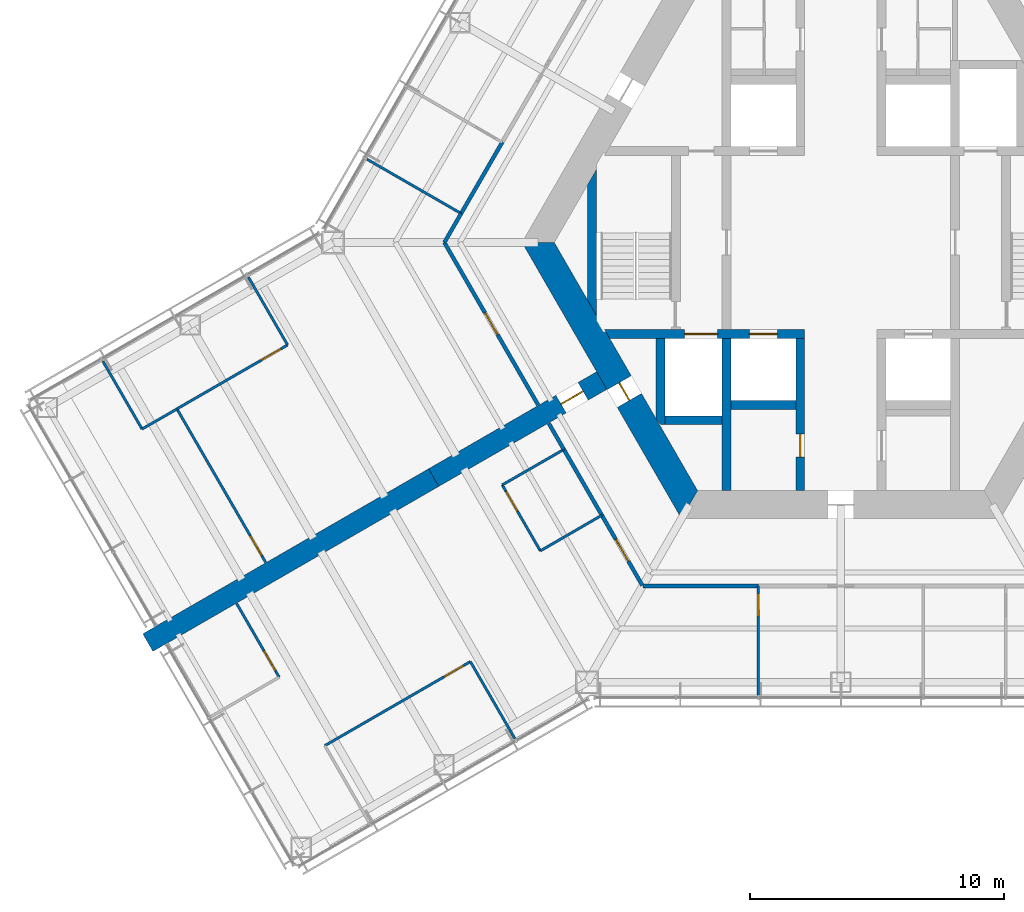
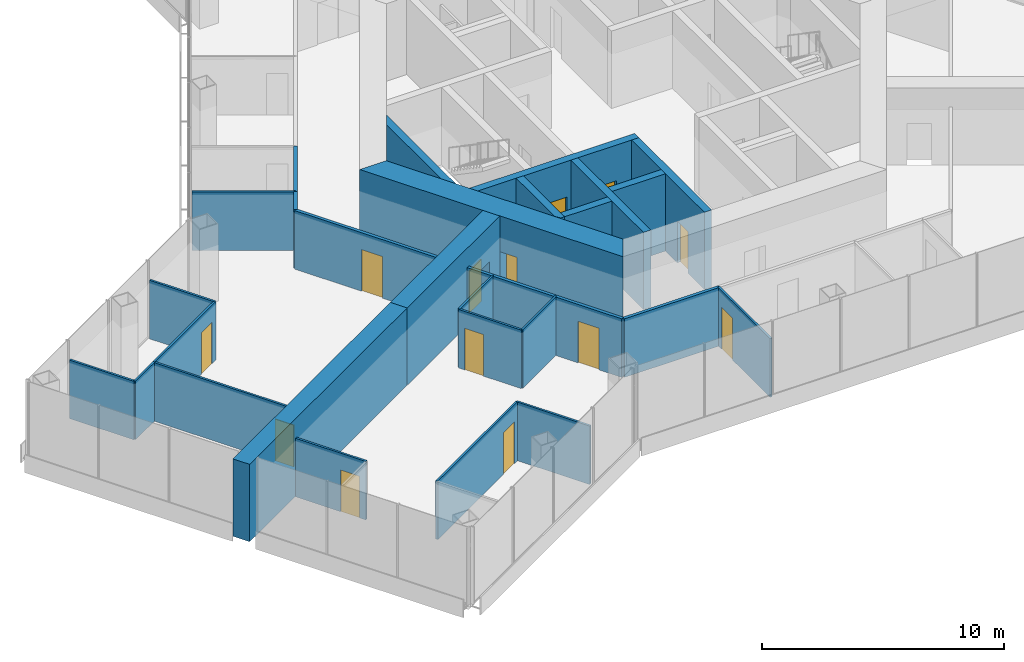
# One storey, part 12 of 18: 30 walls, 13 doors, 13 openings.
"""IFC4 building model written with IfcOpenShell, lengths in metres."""

from ifc_helpers import new_model, si_unit, direction, frame, frame_2d, origin, place, context, subcontext, project, spatial, polyline, rectangle, outline, extrude, material, layer, layer_set, type_object, element, fill, save


model = new_model("IFC4")

# Units and contexts
model_context = context("Model", 3, precision=1e-05, world=origin(), true_north=direction((0.0, 1.0)))
body_context = subcontext(model_context, "Body", "Model", "MODEL_VIEW")
ifc_project = project(units=[si_unit("LENGTHUNIT", "METRE"), si_unit("AREAUNIT", "SQUARE_METRE"), si_unit("VOLUMEUNIT", "CUBIC_METRE"), si_unit("PLANEANGLEUNIT", "RADIAN"), si_unit("MASSUNIT", "GRAM", prefix="KILO")], contexts=[model_context])

# Site, building, storey
site_placement = place(None, origin())
site = spatial("IfcSite", under=ifc_project, at=site_placement, CompositionType="ELEMENT")
building_placement = place(site_placement, origin())
building = spatial("IfcBuilding", under=site, at=building_placement, Name="Kasaneha Research Tower", CompositionType="ELEMENT")
storey_placement = place(building_placement, frame((0.0, 0.0, 115.800048828125)))
storey = spatial("IfcBuildingStorey", under=building, at=storey_placement, Name="L29", CompositionType="ELEMENT", Elevation=115.800048828125)

# Wall, openings, doors
ifc_material_1 = material(Name="Concrete Fc80", Category="concrete")
ifc_layer_1 = layer(ifc_material_1, 0.35009765625)
ifc_layer_set_1 = layer_set([ifc_layer_1], Name="Core internal wall 350 Fc80")
wall_type_1 = type_object("IfcWallType", Name="Core internal wall 350 Fc80", PredefinedType="SHEAR", material=ifc_layer_set_1)
wall_1_placement = place(storey_placement, frame((-9.208740234375, -3.60009765625, 0.0), z_axis=(0.0, 0.0, 1.0), x_axis=(1.0, 0.0, 0.0)))
wall_1 = element("IfcWall", 1, at=wall_1_placement, inside=storey, type_object=wall_type_1, Name="Core wall W2W L29", PredefinedType="SHEAR", context=body_context, shape_type="SweptSolid", body=[
    extrude(outline(polyline([(0.10107421875, -0.175048828125), (3.058837890625, -0.175048828125), (4.35888671875, -0.175048828125), (5.608642578125, -0.175048828125), (6.708740234375, -0.175048828125), (7.78369140625, -0.175048828125), (7.78369140625, 0.175048828125), (6.708740234375, 0.175048828125), (5.608642578125, 0.175048828125), (4.35888671875, 0.175048828125), (3.058837890625, 0.175048828125), (-0.10107421875, 0.175048828125), (0.10107421875, -0.175048828125)])), origin(), (0.0, 0.0, 1.0), 3.89990234375),
])
opening_1_placement = place(wall_1_placement, frame((5.608642578125, 0.0, 0.0)))
opening_1 = element("IfcOpeningElement", 2, at=opening_1_placement, cuts=wall_1, Name="Opening LD-LO2-L29", PredefinedType="OPENING", context=body_context, shape_type="SweptSolid", body=[
    extrude(rectangle(XDim=1.10009765625, YDim=2.10009765625, at=frame_2d((0.550048828125, 1.050048828125))), frame((0.0, 0.18505859375, 0.0), z_axis=(0.0, -1.0, 0.0), x_axis=(1.0, 0.0, 0.0)), (0.0, 0.0, 1.0), 0.3701171875),
])
opening_2_placement = place(wall_1_placement, frame((3.058837890625, 0.0, 0.0)))
opening_2 = element("IfcOpeningElement", 3, at=opening_2_placement, cuts=wall_1, Name="Opening LD-FL2-L29", PredefinedType="OPENING", context=body_context, shape_type="SweptSolid", body=[
    extrude(rectangle(XDim=1.300048828125, YDim=2.10009765625, at=frame_2d((0.64990234375, 1.050048828125))), frame((0.0, 0.18505859375, 0.0), z_axis=(0.0, -1.0, 0.0), x_axis=(1.0, 0.0, 0.0)), (0.0, 0.0, 1.0), 0.3701171875),
])
ifc_material_2 = material(Name="Steel", Category="steel")
door_type_1 = type_object("IfcDoorType", Name="Lift landing door 1100x2100", OperationType="DOUBLE_DOOR_SLIDING", PredefinedType="DOOR", material=ifc_material_2)
door_1_placement = place(opening_1_placement, origin())
door_1 = element("IfcDoor", 4, at=door_1_placement, inside=storey, type_object=door_type_1, Name="Landing door LO2 LD-LO2-L29", OperationType="DOUBLE_DOOR_SLIDING", OverallHeight=2.10009765625, OverallWidth=1.10009765625, PredefinedType="DOOR", context=body_context, shape_type="SweptSolid", body=[
    extrude(rectangle(XDim=1.10009765625, YDim=2.10009765625, at=frame_2d((0.550048828125, 1.050048828125))), frame((0.0, 0.02490234375, 0.0), z_axis=(0.0, -1.0, 0.0), x_axis=(1.0, 0.0, 0.0)), (0.0, 0.0, 1.0), 0.050048828125),
])
fill(opening_1, door_1)
ifc_material_3 = material(Name="Steel", Category="steel")
door_type_2 = type_object("IfcDoorType", Name="Lift landing door 1300x2100", OperationType="DOUBLE_DOOR_SLIDING", PredefinedType="DOOR", material=ifc_material_3)
door_2_placement = place(opening_2_placement, origin())
door_2 = element("IfcDoor", 5, at=door_2_placement, inside=storey, type_object=door_type_2, Name="Landing door FL2 LD-FL2-L29", OperationType="DOUBLE_DOOR_SLIDING", OverallHeight=2.10009765625, OverallWidth=1.300048828125, PredefinedType="DOOR", context=body_context, shape_type="SweptSolid", body=[
    extrude(rectangle(XDim=1.300048828125, YDim=2.10009765625, at=frame_2d((0.64990234375, 1.050048828125))), frame((0.0, 0.02490234375, 0.0), z_axis=(0.0, -1.0, 0.0), x_axis=(1.0, 0.0, 0.0)), (0.0, 0.0, 1.0), 0.050048828125),
])
fill(opening_2, door_2)

# Wall, opening, door
wall_2_placement = place(storey_placement, frame((-1.60009765625, -3.77490234375, 0.0), z_axis=(0.0, 0.0, 1.0), x_axis=(0.0, -1.0, 0.0)))
wall_2 = element("IfcWall", 6, at=wall_2_placement, inside=storey, type_object=wall_type_1, Name="Core wall CSW L29", PredefinedType="SHEAR", context=body_context, shape_type="SweptSolid", body=[
    extrude(rectangle(XDim=6.0, YDim=0.35009765625, at=frame_2d((3.0, 0.0))), origin(), (0.0, 0.0, 1.0), 3.89990234375),
])
opening_3_placement = place(wall_2_placement, frame((3.77490234375, 0.0, 0.0)))
opening_3 = element("IfcOpeningElement", 7, at=opening_3_placement, cuts=wall_2, Name="Opening L29-D16", PredefinedType="OPENING", context=body_context, shape_type="SweptSolid", body=[
    extrude(rectangle(XDim=0.89990234375, YDim=2.10009765625, at=frame_2d((0.449951171875, 1.050048828125))), frame((0.0, 0.18505859375, 0.0), z_axis=(0.0, -1.0, 0.0), x_axis=(1.0, 0.0, 0.0)), (0.0, 0.0, 1.0), 0.3701171875),
])
ifc_material_4 = material(Name="Steel", Category="steel")
door_type_3 = type_object("IfcDoorType", Name="Riser access door FD60 900x2100", OperationType="NOTDEFINED", PredefinedType="DOOR", material=ifc_material_4)
door_3_placement = place(opening_3_placement, origin())
door_3 = element("IfcDoor", 8, at=door_3_placement, inside=storey, type_object=door_type_3, Name="Electrical riser door L29-D16", OperationType="SINGLE_SWING_LEFT", OverallHeight=2.10009765625, OverallWidth=0.89990234375, PredefinedType="DOOR", context=body_context, shape_type="SweptSolid", body=[
    extrude(rectangle(XDim=0.89990234375, YDim=2.10009765625, at=frame_2d((0.449951171875, 1.050048828125))), frame((0.0, 0.02490234375, 0.0), z_axis=(0.0, -1.0, 0.0), x_axis=(1.0, 0.0, 0.0)), (0.0, 0.0, 1.0), 0.050048828125),
])
fill(opening_3, door_3)

# Walls
wall_3_placement = place(storey_placement, frame((-4.5, -3.77490234375, 0.0), z_axis=(0.0, 0.0, 1.0), x_axis=(0.0, -1.0, 0.0)))
element("IfcWall", 9, at=wall_3_placement, inside=storey, type_object=wall_type_1, Name="Core wall SSW L29", PredefinedType="SHEAR", context=body_context, shape_type="SweptSolid", body=[
    extrude(rectangle(XDim=6.0, YDim=0.35009765625, at=frame_2d((3.0, 0.0))), origin(), (0.0, 0.0, 1.0), 3.89990234375),
])
wall_4_placement = place(storey_placement, frame((-4.324951171875, -6.39990234375, 0.0), z_axis=(0.0, 0.0, 1.0), x_axis=(1.0, 0.0, 0.0)))
element("IfcWall", 10, at=wall_4_placement, inside=storey, type_object=wall_type_1, Name="Core wall S1S L29", PredefinedType="SHEAR", context=body_context, shape_type="SweptSolid", body=[
    extrude(rectangle(XDim=2.550048828125, YDim=0.35009765625, at=frame_2d((1.27490234375, 0.0))), origin(), (0.0, 0.0, 1.0), 3.89990234375),
])
wall_5_placement = place(storey_placement, frame((-6.925048828125, -7.0, 0.0), z_axis=(0.0, 0.0, 1.0), x_axis=(1.0, 0.0, 0.0)))
element("IfcWall", 11, at=wall_5_placement, inside=storey, type_object=wall_type_1, Name="Core wall F2S L29", PredefinedType="SHEAR", context=body_context, shape_type="SweptSolid", body=[
    extrude(rectangle(XDim=2.25, YDim=0.35009765625, at=frame_2d((1.125, 0.0))), origin(), (0.0, 0.0, 1.0), 3.89990234375),
])
wall_6_placement = place(storey_placement, frame((-7.10009765625, -3.77490234375, 0.0), z_axis=(0.0, 0.0, 1.0), x_axis=(0.0, -1.0, 0.0)))
element("IfcWall", 12, at=wall_6_placement, inside=storey, type_object=wall_type_1, Name="Core wall F2W L29", PredefinedType="SHEAR", context=body_context, shape_type="SweptSolid", body=[
    extrude(outline(polyline([(0.0, -0.175048828125), (3.174560546875, -0.175048828125), (3.400146484375, 0.0), (3.400146484375, 0.175048828125), (0.0, 0.175048828125), (0.0, -0.175048828125)])), origin(), (0.0, 0.0, 1.0), 3.89990234375),
])
wall_7_placement = place(storey_placement, frame((-9.807861328125, -2.562255859375, 0.0), z_axis=(0.0, 0.0, 1.0), x_axis=(0.0, 1.0, 0.0)))
element("IfcWall", 13, at=wall_7_placement, inside=storey, type_object=wall_type_1, Name="Core wall STW L29", PredefinedType="SHEAR", context=body_context, shape_type="SweptSolid", body=[
    extrude(outline(polyline([(-0.30322265625, -0.175048828125), (5.427734375, -0.175048828125), (4.8212890625, 0.175048828125), (0.30322265625, 0.175048828125), (-0.30322265625, -0.175048828125)])), origin(), (0.0, 0.0, 1.0), 3.89990234375),
])

# Wall, opening, door
ifc_material_5 = material(Name="Concrete Fc80", Category="concrete")
ifc_layer_2 = layer(ifc_material_5, 1.10009765625)
ifc_layer_set_2 = layer_set([ifc_layer_2], Name="Core wall 1100 Fc80")
wall_type_2 = type_object("IfcWallType", Name="Core wall 1100 Fc80", PredefinedType="SHEAR", material=ifc_layer_set_2)
wall_8_placement = place(storey_placement, frame((-11.92236328125, 0.0, 0.0), z_axis=(0.0, 0.0, 1.0), x_axis=(0.500004296715, -0.866022923061, 0.0)))
wall_8 = element("IfcWall", 14, at=wall_8_placement, inside=storey, type_object=wall_type_2, Name="Core wall 210 L29", PredefinedType="SHEAR", context=body_context, shape_type="SweptSolid", body=[
    extrude(outline(polyline([(-0.317626953125, -0.550048828125), (6.381103515625, -0.550048828125), (7.18115234375, -0.550048828125), (12.239990234375, -0.550048828125), (11.604736328125, 0.550048828125), (7.18115234375, 0.550048828125), (6.381103515625, 0.550048828125), (0.317626953125, 0.550048828125), (-0.317626953125, -0.550048828125)])), origin(), (0.0, 0.0, 1.0), 3.89990234375),
])
opening_4_placement = place(wall_8_placement, frame((6.381103515625, 0.0, 0.0)))
opening_4 = element("IfcOpeningElement", 15, at=opening_4_placement, cuts=wall_8, Name="Opening L29-D06", PredefinedType="OPENING", context=body_context, shape_type="SweptSolid", body=[
    extrude(rectangle(XDim=0.800048828125, YDim=2.10009765625, at=frame_2d((0.39990234375, 1.050048828125))), frame((0.0, 0.56005859375, 0.0), z_axis=(0.0, -1.0, 0.0), x_axis=(1.0, 0.0, 0.0)), (0.0, 0.0, 1.0), 1.1201171875),
])
ifc_material_6 = material(Name="Steel", Category="steel")
door_type_4 = type_object("IfcDoorType", Name="Riser access door FD60 800x2100", OperationType="NOTDEFINED", PredefinedType="DOOR", material=ifc_material_6)
door_4_placement = place(opening_4_placement, origin())
door_4 = element("IfcDoor", 16, at=door_4_placement, inside=storey, type_object=door_type_4, Name="Duct riser door L29-D06", OperationType="SINGLE_SWING_RIGHT", OverallHeight=2.10009765625, OverallWidth=0.800048828125, PredefinedType="DOOR", context=body_context, shape_type="SweptSolid", body=[
    extrude(rectangle(XDim=0.800048828125, YDim=2.10009765625, at=frame_2d((0.39990234375, 1.050048828125))), frame((0.0, 0.02490234375, 0.0), z_axis=(0.0, -1.0, 0.0), x_axis=(1.0, 0.0, 0.0)), (0.0, 0.0, 1.0), 0.050048828125),
])
fill(opening_4, door_4)

# Walls
ifc_material_7 = material(Name="Gypsum board on steel studs, one layer each side", Category="steel")
ifc_layer_3 = layer(ifc_material_7, 0.10009765625)
ifc_layer_set_3 = layer_set([ifc_layer_3], Name="Office partition 100")
wall_type_3 = type_object("IfcWallType", Name="Office partition 100", PredefinedType="PARTITIONING", material=ifc_layer_set_3)
wall_9_placement = place(storey_placement, frame((-29.065185546875, -4.6796875, 0.0), z_axis=(0.0, 0.0, 1.0), x_axis=(0.500120427123, -0.865955863987, 0.0)))
element("IfcWall", 17, at=wall_9_placement, inside=storey, type_object=wall_type_3, Name="Office partition FBN06 L29", PredefinedType="PARTITIONING", context=body_context, shape_type="SweptSolid", body=[
    extrude(rectangle(XDim=3.079833984375, YDim=0.10009765625, at=frame_2d((1.5400390625, 0.0))), origin(), (0.0, 0.0, 1.0), 2.949951171875),
])
wall_10_placement = place(storey_placement, frame((-27.52490234375, -7.3466796875, 0.0), z_axis=(0.0, 0.0, 1.0), x_axis=(0.867571917523, 0.497311741191, 0.0)))
element("IfcWall", 18, at=wall_10_placement, inside=storey, type_object=wall_type_3, Name="Office partition FBN07 L29", PredefinedType="PARTITIONING", context=body_context, shape_type="SweptSolid", body=[
    extrude(rectangle(XDim=1.591064453125, YDim=0.10009765625, at=frame_2d((0.79541015625, 0.0))), origin(), (0.0, 0.0, 1.0), 2.949951171875),
])

# Wall, opening, door
wall_11_placement = place(storey_placement, frame((-26.151123046875, -6.55419921875, 0.0), z_axis=(0.0, 0.0, 1.0), x_axis=(0.500528756763, -0.865719910625, 0.0)))
wall_11 = element("IfcWall", 19, at=wall_11_placement, inside=storey, type_object=wall_type_3, Name="Office partition FBN08 L29", PredefinedType="PARTITIONING", context=body_context, shape_type="SweptSolid", body=[
    extrude(rectangle(XDim=6.9794921875, YDim=0.10009765625, at=frame_2d((3.48974609375, 0.0))), origin(), (0.0, 0.0, 1.0), 2.949951171875),
])
opening_5_placement = place(wall_11_placement, frame((5.779541015625, 0.0, 0.0)))
opening_5 = element("IfcOpeningElement", 20, at=opening_5_placement, cuts=wall_11, Name="Opening L29-D36", PredefinedType="OPENING", context=body_context, shape_type="SweptSolid", body=[
    extrude(rectangle(XDim=0.89990234375, YDim=2.10009765625, at=frame_2d((0.449951171875, 1.050048828125))), frame((0.0, 0.06005859375, 0.0), z_axis=(0.0, -1.0, 0.0), x_axis=(1.0, 0.0, 0.0)), (0.0, 0.0, 1.0), 0.1201171875),
])
ifc_material_8 = material(Name="Timber veneer", Category="wood")
door_type_5 = type_object("IfcDoorType", Name="Office door 900x2100", OperationType="SINGLE_SWING_LEFT", PredefinedType="DOOR", material=ifc_material_8)
door_5_placement = place(opening_5_placement, origin())
door_5 = element("IfcDoor", 21, at=door_5_placement, inside=storey, type_object=door_type_5, Name="Large meeting room door L29-D36", OperationType="SINGLE_SWING_RIGHT", OverallHeight=2.10009765625, OverallWidth=0.89990234375, PredefinedType="DOOR", context=body_context, shape_type="SweptSolid", body=[
    extrude(rectangle(XDim=0.89990234375, YDim=2.10009765625, at=frame_2d((0.449951171875, 1.050048828125))), frame((0.0, 0.02490234375, 0.0), z_axis=(0.0, -1.0, 0.0), x_axis=(1.0, 0.0, 0.0)), (0.0, 0.0, 1.0), 0.050048828125),
])
fill(opening_5, door_5)

# Walls
wall_12_placement = place(storey_placement, frame((-14.957275390625, 1.143310546875, 0.0), z_axis=(0.0, 0.0, 1.0), x_axis=(-0.86652666665, 0.499130780441, 0.0)))
element("IfcWall", 22, at=wall_12_placement, inside=storey, type_object=wall_type_3, Name="Office partition FBN10 L29", PredefinedType="PARTITIONING", context=body_context, shape_type="SweptSolid", body=[
    extrude(rectangle(XDim=4.275390625, YDim=0.10009765625, at=frame_2d((2.1376953125, 0.0))), origin(), (0.0, 0.0, 1.0), 2.949951171875),
])
wall_13_placement = place(storey_placement, frame((-23.332275390625, -1.36962890625, 0.0), z_axis=(0.0, 0.0, 1.0), x_axis=(0.499992328818, -0.866029832698, 0.0)))
element("IfcWall", 23, at=wall_13_placement, inside=storey, type_object=wall_type_3, Name="Office partition FBN12 L29", PredefinedType="PARTITIONING", context=body_context, shape_type="SweptSolid", body=[
    extrude(rectangle(XDim=3.080078125, YDim=0.10009765625, at=frame_2d((1.5400390625, 0.0))), origin(), (0.0, 0.0, 1.0), 2.949951171875),
])

# Wall, opening, door
wall_14_placement = place(storey_placement, frame((-21.792236328125, -4.037109375, 0.0), z_axis=(0.0, 0.0, 1.0), x_axis=(-0.866037775365, -0.499978571182, 0.0)))
wall_14 = element("IfcWall", 24, at=wall_14_placement, inside=storey, type_object=wall_type_3, Name="Office partition FBN13 L29", PredefinedType="PARTITIONING", context=body_context, shape_type="SweptSolid", body=[
    extrude(rectangle(XDim=5.033447265625, YDim=0.10009765625, at=frame_2d((2.5166015625, 0.0))), origin(), (0.0, 0.0, 1.0), 2.949951171875),
])
opening_6_placement = place(wall_14_placement, frame((0.300048828125, 0.0, 0.0)))
opening_6 = element("IfcOpeningElement", 25, at=opening_6_placement, cuts=wall_14, Name="Opening L29-D39", PredefinedType="OPENING", context=body_context, shape_type="SweptSolid", body=[
    extrude(rectangle(XDim=0.89990234375, YDim=2.10009765625, at=frame_2d((0.449951171875, 1.050048828125))), frame((0.0, 0.06005859375, 0.0), z_axis=(0.0, -1.0, 0.0), x_axis=(1.0, 0.0, 0.0)), (0.0, 0.0, 1.0), 0.1201171875),
])
door_6_placement = place(opening_6_placement, origin())
door_6 = element("IfcDoor", 26, at=door_6_placement, inside=storey, type_object=door_type_5, Name="Manager's office door L29-D39", OperationType="SINGLE_SWING_LEFT", OverallHeight=2.10009765625, OverallWidth=0.89990234375, PredefinedType="DOOR", context=body_context, shape_type="SweptSolid", body=[
    extrude(rectangle(XDim=0.89990234375, YDim=2.10009765625, at=frame_2d((0.449951171875, 1.050048828125))), frame((0.0, 0.02490234375, 0.0), z_axis=(0.0, -1.0, 0.0), x_axis=(1.0, 0.0, 0.0)), (0.0, 0.0, 1.0), 0.050048828125),
])
fill(opening_6, door_6)

# Wall
wall_15_placement = place(storey_placement, frame((-13.337890625, -9.548095703125, 0.0), z_axis=(0.0, 0.0, 1.0), x_axis=(0.866833758708, 0.498597267105, 0.0)))
element("IfcWall", 27, at=wall_15_placement, inside=storey, type_object=wall_type_3, Name="Office partition FBS04 L29", PredefinedType="PARTITIONING", context=body_context, shape_type="SweptSolid", body=[
    extrude(rectangle(XDim=2.7998046875, YDim=0.10009765625, at=frame_2d((1.39990234375, 0.0))), origin(), (0.0, 0.0, 1.0), 2.949951171875),
])

# Wall, opening, door
wall_16_placement = place(storey_placement, frame((-11.837890625, -12.146240234375, 0.0), z_axis=(0.0, 0.0, 1.0), x_axis=(-0.499990139034, 0.866031096941, 0.0)))
wall_16 = element("IfcWall", 28, at=wall_16_placement, inside=storey, type_object=wall_type_3, Name="Office partition FBS05 L29", PredefinedType="PARTITIONING", context=body_context, shape_type="SweptSolid", body=[
    extrude(rectangle(XDim=3.0, YDim=0.10009765625, at=frame_2d((1.5, 0.0))), origin(), (0.0, 0.0, 1.0), 2.949951171875),
])
opening_7_placement = place(wall_16_placement, frame((1.800048828125, 0.0, 0.0)))
opening_7 = element("IfcOpeningElement", 29, at=opening_7_placement, cuts=wall_16, Name="Opening L29-D41", PredefinedType="OPENING", context=body_context, shape_type="SweptSolid", body=[
    extrude(rectangle(XDim=0.89990234375, YDim=2.10009765625, at=frame_2d((0.449951171875, 1.050048828125))), frame((0.0, 0.06005859375, 0.0), z_axis=(0.0, -1.0, 0.0), x_axis=(1.0, 0.0, 0.0)), (0.0, 0.0, 1.0), 0.1201171875),
])
door_7_placement = place(opening_7_placement, origin())
door_7 = element("IfcDoor", 30, at=door_7_placement, inside=storey, type_object=door_type_5, Name="Pantry door L29-D41", OperationType="SINGLE_SWING_RIGHT", OverallHeight=2.10009765625, OverallWidth=0.89990234375, PredefinedType="DOOR", context=body_context, shape_type="SweptSolid", body=[
    extrude(rectangle(XDim=0.89990234375, YDim=2.10009765625, at=frame_2d((0.449951171875, 1.050048828125))), frame((0.0, 0.02490234375, 0.0), z_axis=(0.0, -1.0, 0.0), x_axis=(1.0, 0.0, 0.0)), (0.0, 0.0, 1.0), 0.050048828125),
])
fill(opening_7, door_7)

# Wall
wall_17_placement = place(storey_placement, frame((-9.415283203125, -10.7421875, 0.0), z_axis=(0.0, 0.0, 1.0), x_axis=(-0.865195372903, -0.501434907746, 0.0)))
element("IfcWall", 31, at=wall_17_placement, inside=storey, type_object=wall_type_3, Name="Office partition FBS06 L29", PredefinedType="PARTITIONING", context=body_context, shape_type="SweptSolid", body=[
    extrude(rectangle(XDim=2.800048828125, YDim=0.10009765625, at=frame_2d((1.39990234375, 0.0))), origin(), (0.0, 0.0, 1.0), 2.949951171875),
])

# Wall, opening, door
wall_18_placement = place(storey_placement, frame((-20.324951171875, -19.8173828125, 0.0), z_axis=(0.0, 0.0, 1.0), x_axis=(0.866037567856, 0.499978930619, 0.0)))
wall_18 = element("IfcWall", 32, at=wall_18_placement, inside=storey, type_object=wall_type_3, Name="Office partition FBS07 L29", PredefinedType="PARTITIONING", context=body_context, shape_type="SweptSolid", body=[
    extrude(rectangle(XDim=6.619384765625, YDim=0.10009765625, at=frame_2d((3.3095703125, 0.0))), origin(), (0.0, 0.0, 1.0), 2.949951171875),
])
opening_8_placement = place(wall_18_placement, frame((5.419677734375, 0.0, 0.0)))
opening_8 = element("IfcOpeningElement", 33, at=opening_8_placement, cuts=wall_18, Name="Opening L29-D42", PredefinedType="OPENING", context=body_context, shape_type="SweptSolid", body=[
    extrude(rectangle(XDim=0.89990234375, YDim=2.10009765625, at=frame_2d((0.449951171875, 1.050048828125))), frame((0.0, 0.06005859375, 0.0), z_axis=(0.0, -1.0, 0.0), x_axis=(1.0, 0.0, 0.0)), (0.0, 0.0, 1.0), 0.1201171875),
])
door_8_placement = place(opening_8_placement, origin())
door_8 = element("IfcDoor", 34, at=door_8_placement, inside=storey, type_object=door_type_5, Name="Meeting room door L29-D42", OperationType="SINGLE_SWING_RIGHT", OverallHeight=2.10009765625, OverallWidth=0.89990234375, PredefinedType="DOOR", context=body_context, shape_type="SweptSolid", body=[
    extrude(rectangle(XDim=0.89990234375, YDim=2.10009765625, at=frame_2d((0.449951171875, 1.050048828125))), frame((0.0, 0.02490234375, 0.0), z_axis=(0.0, -1.0, 0.0), x_axis=(1.0, 0.0, 0.0)), (0.0, 0.0, 1.0), 0.050048828125),
])
fill(opening_8, door_8)

# Wall
wall_19_placement = place(storey_placement, frame((-14.59228515625, -16.5078125, 0.0), z_axis=(0.0, 0.0, 1.0), x_axis=(0.500010275428, -0.866019471182, 0.0)))
element("IfcWall", 35, at=wall_19_placement, inside=storey, type_object=wall_type_3, Name="Office partition FBS09 L29", PredefinedType="PARTITIONING", context=body_context, shape_type="SweptSolid", body=[
    extrude(rectangle(XDim=3.5, YDim=0.10009765625, at=frame_2d((1.75, 0.0))), origin(), (0.0, 0.0, 1.0), 2.949951171875),
])

# Wall, opening, door
wall_20_placement = place(storey_placement, frame((-23.796630859375, -14.22412109375, 0.0), z_axis=(0.0, 0.0, 1.0), x_axis=(0.500015043844, -0.866016718043, 0.0)))
wall_20 = element("IfcWall", 36, at=wall_20_placement, inside=storey, type_object=wall_type_3, Name="Office partition FBS10 L29", PredefinedType="PARTITIONING", context=body_context, shape_type="SweptSolid", body=[
    extrude(rectangle(XDim=3.3466796875, YDim=0.10009765625, at=frame_2d((1.67333984375, 0.0))), origin(), (0.0, 0.0, 1.0), 2.949951171875),
])
opening_9_placement = place(wall_20_placement, frame((2.146728515625, 0.0, 0.0)))
opening_9 = element("IfcOpeningElement", 37, at=opening_9_placement, cuts=wall_20, Name="Opening L29-D43", PredefinedType="OPENING", context=body_context, shape_type="SweptSolid", body=[
    extrude(rectangle(XDim=0.89990234375, YDim=2.10009765625, at=frame_2d((0.449951171875, 1.050048828125))), frame((0.0, 0.06005859375, 0.0), z_axis=(0.0, -1.0, 0.0), x_axis=(1.0, 0.0, 0.0)), (0.0, 0.0, 1.0), 0.1201171875),
])
door_9_placement = place(opening_9_placement, origin())
door_9 = element("IfcDoor", 38, at=door_9_placement, inside=storey, type_object=door_type_5, Name="Project room door L29-D43", OperationType="SINGLE_SWING_RIGHT", OverallHeight=2.10009765625, OverallWidth=0.89990234375, PredefinedType="DOOR", context=body_context, shape_type="SweptSolid", body=[
    extrude(rectangle(XDim=0.89990234375, YDim=2.10009765625, at=frame_2d((0.449951171875, 1.050048828125))), frame((0.0, 0.02490234375, 0.0), z_axis=(0.0, -1.0, 0.0), x_axis=(1.0, 0.0, 0.0)), (0.0, 0.0, 1.0), 0.050048828125),
])
fill(opening_9, door_9)

wall_21_placement = place(storey_placement, frame((-3.2509765625, -13.52490234375, 0.0), z_axis=(0.0, 0.0, 1.0), x_axis=(0.00107362768, -0.999999423662, 0.0)))
wall_21 = element("IfcWall", 39, at=wall_21_placement, inside=storey, type_object=wall_type_3, Name="Office partition FCS11 L29", PredefinedType="PARTITIONING", context=body_context, shape_type="SweptSolid", body=[
    extrude(rectangle(XDim=4.320556640625, YDim=0.10009765625, at=frame_2d((2.16015625, 0.0))), origin(), (0.0, 0.0, 1.0), 2.949951171875),
])
opening_10_placement = place(wall_21_placement, frame((0.300048828125, 0.0, 0.0)))
opening_10 = element("IfcOpeningElement", 40, at=opening_10_placement, cuts=wall_21, Name="Opening L29-D51", PredefinedType="OPENING", context=body_context, shape_type="SweptSolid", body=[
    extrude(rectangle(XDim=0.89990234375, YDim=2.10009765625, at=frame_2d((0.449951171875, 1.050048828125))), frame((0.0, 0.06005859375, 0.0), z_axis=(0.0, -1.0, 0.0), x_axis=(1.0, 0.0, 0.0)), (0.0, 0.0, 1.0), 0.1201171875),
])
door_10_placement = place(opening_10_placement, origin())
door_10 = element("IfcDoor", 41, at=door_10_placement, inside=storey, type_object=door_type_5, Name="Manager's office door L29-D51", OperationType="SINGLE_SWING_LEFT", OverallHeight=2.10009765625, OverallWidth=0.89990234375, PredefinedType="DOOR", context=body_context, shape_type="SweptSolid", body=[
    extrude(rectangle(XDim=0.89990234375, YDim=2.10009765625, at=frame_2d((0.449951171875, 1.050048828125))), frame((0.0, 0.02490234375, 0.0), z_axis=(0.0, -1.0, 0.0), x_axis=(1.0, 0.0, 0.0)), (0.0, 0.0, 1.0), 0.050048828125),
])
fill(opening_10, door_10)

ifc_material_9 = material(Name="Concrete Fc80", Category="concrete")
ifc_layer_4 = layer(ifc_material_9, 0.800048828125)
ifc_layer_set_4 = layer_set([ifc_layer_4], Name="Spine wall 800 Fc80")
wall_type_4 = type_object("IfcWallType", Name="Spine wall 800 Fc80", PredefinedType="SHEAR", material=ifc_layer_set_4)
wall_22_placement = place(storey_placement, frame((-9.41796875, -5.4375, 0.0), z_axis=(0.0, 0.0, 1.0), x_axis=(-0.866029782078, -0.499992416496, 0.0)))
wall_22 = element("IfcWall", 42, at=wall_22_placement, inside=storey, type_object=wall_type_4, Name="Spine wall B L29", PredefinedType="SHEAR", context=body_context, shape_type="SweptSolid", body=[
    extrude(rectangle(XDim=7.6455078125, YDim=0.800048828125, at=frame_2d((3.82275390625, 0.0))), origin(), (0.0, 0.0, 1.0), 3.89990234375),
])
opening_11_placement = place(wall_22_placement, frame((0.85009765625, 0.0, 0.0)))
opening_11 = element("IfcOpeningElement", 43, at=opening_11_placement, cuts=wall_22, Name="Opening L29-D18", PredefinedType="OPENING", context=body_context, shape_type="SweptSolid", body=[
    extrude(rectangle(XDim=1.0, YDim=2.10009765625, at=frame_2d((0.5, 1.050048828125))), frame((0.0, 0.41015625, 0.0), z_axis=(0.0, -1.0, 0.0), x_axis=(1.0, 0.0, 0.0)), (0.0, 0.0, 1.0), 0.820068359375),
])
ifc_material_10 = material(Name="Steel", Category="steel")
door_type_6 = type_object("IfcDoorType", Name="Specified fire door FD60 1000x2100", OperationType="NOTDEFINED", PredefinedType="DOOR", material=ifc_material_10)
door_11_placement = place(opening_11_placement, origin())
door_11 = element("IfcDoor", 44, at=door_11_placement, inside=storey, type_object=door_type_6, Name="Spine doorway B L29-D18", OperationType="SINGLE_SWING_LEFT", OverallHeight=2.10009765625, OverallWidth=1.0, PredefinedType="DOOR", context=body_context, shape_type="SweptSolid", body=[
    extrude(rectangle(XDim=1.0, YDim=2.10009765625, at=frame_2d((0.5, 1.050048828125))), frame((0.0, 0.02490234375, 0.0), z_axis=(0.0, -1.0, 0.0), x_axis=(1.0, 0.0, 0.0)), (0.0, 0.0, 1.0), 0.050048828125),
])
fill(opening_11, door_11)

# Walls
wall_23_placement = place(storey_placement, frame((-16.039306640625, -9.26025390625, 0.0), z_axis=(0.0, 0.0, 1.0), x_axis=(-0.866024837091, -0.50000098154, 0.0)))
element("IfcWall", 45, at=wall_23_placement, inside=storey, type_object=wall_type_4, Name="Spine wall B wing L29", PredefinedType="SHEAR", context=body_context, shape_type="SweptSolid", body=[
    extrude(rectangle(XDim=13.0, YDim=0.800048828125, at=frame_2d((6.5, 0.0))), origin(), (0.0, 0.0, 1.0), 3.89990234375),
])
ifc_material_11 = material(Name="Gypsum board on steel studs, two layers each side", Category="steel")
ifc_layer_5 = layer(ifc_material_11, 0.14990234375)
ifc_layer_set_5 = layer_set([ifc_layer_5], Name="Suite partition 150")
wall_type_5 = type_object("IfcWallType", Name="Suite partition 150", PredefinedType="PARTITIONING", material=ifc_layer_set_5)
wall_24_placement = place(storey_placement, frame((-14.9619140625, 1.13525390625, 0.0), z_axis=(0.0, 0.0, 1.0), x_axis=(0.500001520505, 0.866024525919, 0.0)))
element("IfcWall", 46, at=wall_24_placement, inside=storey, type_object=wall_type_5, Name="Suite partition FBN02 L29", PredefinedType="PARTITIONING", context=body_context, shape_type="SweptSolid", body=[
    extrude(rectangle(XDim=3.25634765625, YDim=0.14990234375, at=frame_2d((1.628173828125, 0.0))), origin(), (0.0, 0.0, 1.0), 2.949951171875),
])
wall_25_placement = place(storey_placement, frame((-15.6171875, 0.0, 0.0), z_axis=(0.0, 0.0, 1.0), x_axis=(0.499898558967, 0.866083962871, 0.0)))
element("IfcWall", 47, at=wall_25_placement, inside=storey, type_object=wall_type_5, Name="Suite partition FBN03 L29", PredefinedType="PARTITIONING", context=body_context, shape_type="SweptSolid", body=[
    extrude(rectangle(XDim=1.320068359375, YDim=0.14990234375, at=frame_2d((0.66015625, 0.0))), origin(), (0.0, 0.0, 1.0), 2.949951171875),
])

# Wall, opening, door
wall_26_placement = place(storey_placement, frame((-11.923095703125, -6.398681640625, 0.0), z_axis=(0.0, 0.0, 1.0), x_axis=(-0.499980837837, 0.866036466782, 0.0)))
wall_26 = element("IfcWall", 48, at=wall_26_placement, inside=storey, type_object=wall_type_5, Name="Suite partition FBN04 L29", PredefinedType="PARTITIONING", context=body_context, shape_type="SweptSolid", body=[
    extrude(rectangle(XDim=7.388427734375, YDim=0.14990234375, at=frame_2d((3.6943359375, 0.0))), origin(), (0.0, 0.0, 1.0), 2.949951171875),
])
opening_12_placement = place(wall_26_placement, frame((3.1943359375, 0.0, 0.0)))
opening_12 = element("IfcOpeningElement", 49, at=opening_12_placement, cuts=wall_26, Name="Opening L29-D34", PredefinedType="OPENING", context=body_context, shape_type="SweptSolid", body=[
    extrude(rectangle(XDim=1.0, YDim=2.10009765625, at=frame_2d((0.5, 1.050048828125))), frame((0.0, 0.0849609375, 0.0), z_axis=(0.0, -1.0, 0.0), x_axis=(1.0, 0.0, 0.0)), (0.0, 0.0, 1.0), 0.169921875),
])
ifc_material_12 = material(Name="Steel", Category="steel")
door_type_7 = type_object("IfcDoorType", Name="Suite entrance door FD60 1000x2100", OperationType="NOTDEFINED", PredefinedType="DOOR", material=ifc_material_12)
door_12_placement = place(opening_12_placement, origin())
door_12 = element("IfcDoor", 50, at=door_12_placement, inside=storey, type_object=door_type_7, Name="Suite entrance door L29-D34", OperationType="SINGLE_SWING_RIGHT", OverallHeight=2.10009765625, OverallWidth=1.0, PredefinedType="DOOR", context=body_context, shape_type="SweptSolid", body=[
    extrude(rectangle(XDim=1.0, YDim=2.10009765625, at=frame_2d((0.5, 1.050048828125))), frame((0.0, 0.02490234375, 0.0), z_axis=(0.0, -1.0, 0.0), x_axis=(1.0, 0.0, 0.0)), (0.0, 0.0, 1.0), 0.050048828125),
])
fill(opening_12, door_12)

# Walls
wall_27_placement = place(storey_placement, frame((-9.410400390625, -10.75048828125, 0.0), z_axis=(0.0, 0.0, 1.0), x_axis=(-0.500038395149, 0.8660032352, 0.0)))
element("IfcWall", 51, at=wall_27_placement, inside=storey, type_object=wall_type_5, Name="Suite partition FBS01 L29", PredefinedType="PARTITIONING", context=body_context, shape_type="SweptSolid", body=[
    extrude(rectangle(XDim=3.010009765625, YDim=0.14990234375, at=frame_2d((1.5048828125, 0.0))), origin(), (0.0, 0.0, 1.0), 2.949951171875),
])
wall_28_placement = place(storey_placement, frame((-10.910888671875, -8.152099609375, 0.0), z_axis=(0.0, 0.0, 1.0), x_axis=(-0.499841408252, 0.866116947413, 0.0)))
element("IfcWall", 52, at=wall_28_placement, inside=storey, type_object=wall_type_5, Name="Suite partition FBS02 L29", PredefinedType="PARTITIONING", context=body_context, shape_type="SweptSolid", body=[
    extrude(rectangle(XDim=1.1845703125, YDim=0.14990234375, at=frame_2d((0.59228515625, 0.0))), origin(), (0.0, 0.0, 1.0), 2.949951171875),
])

# Wall, opening, door
wall_29_placement = place(storey_placement, frame((-7.8203125, -13.5048828125, 0.0), z_axis=(0.0, 0.0, 1.0), x_axis=(-0.499983030129, 0.866035201123, 0.0)))
wall_29 = element("IfcWall", 53, at=wall_29_placement, inside=storey, type_object=wall_type_5, Name="Suite partition FBS03 L29", PredefinedType="PARTITIONING", context=body_context, shape_type="SweptSolid", body=[
    extrude(rectangle(XDim=3.18994140625, YDim=0.14990234375, at=frame_2d((1.594970703125, 0.0))), origin(), (0.0, 0.0, 1.0), 2.949951171875),
])
opening_13_placement = place(wall_29_placement, frame((1.094970703125, 0.0, 0.0)))
opening_13 = element("IfcOpeningElement", 54, at=opening_13_placement, cuts=wall_29, Name="Opening L29-D40", PredefinedType="OPENING", context=body_context, shape_type="SweptSolid", body=[
    extrude(rectangle(XDim=1.0, YDim=2.10009765625, at=frame_2d((0.5, 1.050048828125))), frame((0.0, 0.0849609375, 0.0), z_axis=(0.0, -1.0, 0.0), x_axis=(1.0, 0.0, 0.0)), (0.0, 0.0, 1.0), 0.169921875),
])
door_13_placement = place(opening_13_placement, origin())
door_13 = element("IfcDoor", 55, at=door_13_placement, inside=storey, type_object=door_type_7, Name="Suite entrance door L29-D40", OperationType="SINGLE_SWING_RIGHT", OverallHeight=2.10009765625, OverallWidth=1.0, PredefinedType="DOOR", context=body_context, shape_type="SweptSolid", body=[
    extrude(rectangle(XDim=1.0, YDim=2.10009765625, at=frame_2d((0.5, 1.050048828125))), frame((0.0, 0.02490234375, 0.0), z_axis=(0.0, -1.0, 0.0), x_axis=(1.0, 0.0, 0.0)), (0.0, 0.0, 1.0), 0.050048828125),
])
fill(opening_13, door_13)

# Wall
wall_30_placement = place(storey_placement, frame((-3.241455078125, -13.52490234375, 0.0), z_axis=(0.0, 0.0, 1.0), x_axis=(-1.0, 0.0, 0.0)))
element("IfcWall", 56, at=wall_30_placement, inside=storey, type_object=wall_type_5, Name="Suite partition FCS02 L29", PredefinedType="PARTITIONING", context=body_context, shape_type="SweptSolid", body=[
    extrude(rectangle(XDim=4.544189453125, YDim=0.14990234375, at=frame_2d((2.27197265625, 0.0))), origin(), (0.0, 0.0, 1.0), 2.949951171875),
])

save(model, "model.ifc")
